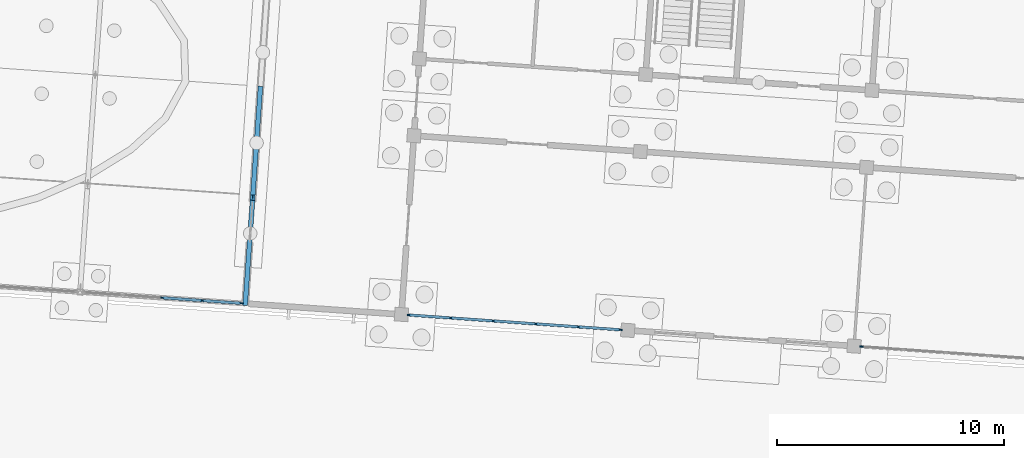
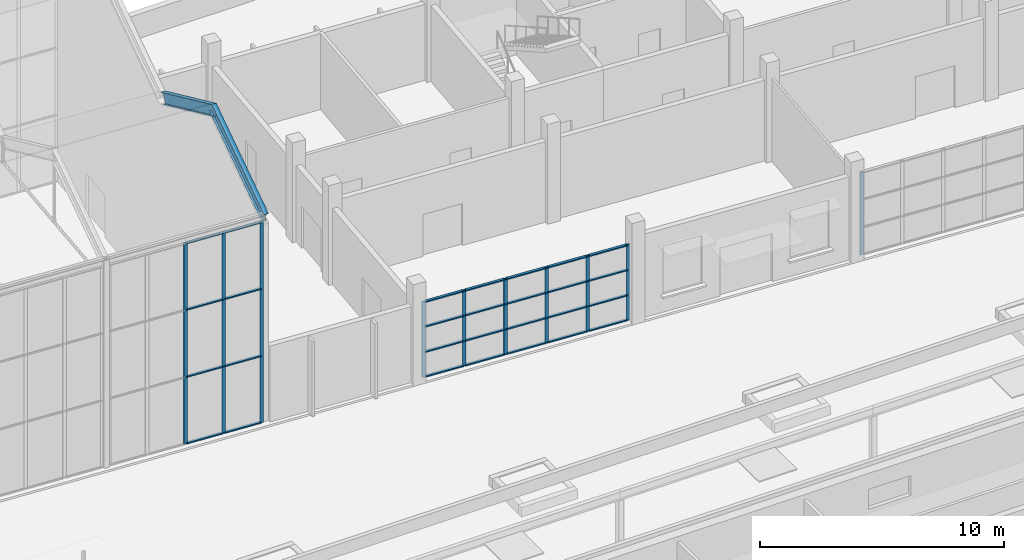
# One storey, part 49 of 157: 40 members, 3 elements without a shape of their own.
"""IFC4 building model written with IfcOpenShell, lengths in metres."""

from ifc_helpers import new_model, si_unit, direction, frame, origin, origin_2d, place, context, subcontext, project, spatial, rectangle, i_section, extrude, material, material_profile, profile_set, type_object, element, aggregate, save


model = new_model("IFC4")

# Units and contexts
model_context = context("Model", 3, precision=1e-05, world=origin(), true_north=direction((0.0, 1.0)))
body_context = subcontext(model_context, "Body", "Model", "MODEL_VIEW")
ifc_project = project(units=[si_unit("LENGTHUNIT", "METRE"), si_unit("AREAUNIT", "SQUARE_METRE"), si_unit("VOLUMEUNIT", "CUBIC_METRE"), si_unit("PLANEANGLEUNIT", "RADIAN"), si_unit("MASSUNIT", "GRAM", prefix="KILO")], contexts=[model_context])

# Site, building, storey
site_placement = place(None, origin())
site = spatial("IfcSite", under=ifc_project, at=site_placement, CompositionType="ELEMENT")
building_placement = place(site_placement, origin())
building = spatial("IfcBuilding", under=site, at=building_placement, Name="Windward Yard Aquatics Centre", CompositionType="ELEMENT")
storey_placement = place(building_placement, origin())
storey = spatial("IfcBuildingStorey", under=building, at=storey_placement, Name="L00", CompositionType="ELEMENT", Elevation=0.0)

# Curtain wall, members
ifc_material_1 = material(Name="Aluminium curtain wall system", Category="aluminium")
curtain_wall_type = type_object("IfcCurtainWallType", Name="W curtain wall 1900", PredefinedType="NOTDEFINED", material=ifc_material_1)
curtain_wall_1_placement = place(storey_placement, origin())
curtain_wall_1 = element("IfcCurtainWall", 1, at=curtain_wall_1_placement, inside=storey, type_object=curtain_wall_type, Name="Wing south glazing L00 1", PredefinedType="NOTDEFINED")
ifc_material_2 = material(Name="Aluminium mullion", Category="aluminium")
ifc_material_profile_1 = material_profile(ifc_material_2, rectangle(XDim=0.06005859375, YDim=0.159912109375, at=origin_2d()), Name="AL 60x160")
ifc_profile_set_1 = profile_set([ifc_material_profile_1], Name="Aluminium mullion")
member_type_1 = type_object("IfcMemberType", Name="W CW mullion 60x160", PredefinedType="MULLION", material=ifc_profile_set_1)
member_1_placement = place(storey_placement, frame((108.1923828125, 116.842041015625, 0.0), z_axis=(0.0, 0.0, 1.0), x_axis=(0.069755340111, 0.997564129531, 0.0)))
member_1 = element("IfcMember", 2, at=member_1_placement, type_object=member_type_1, Name="WCW1 mullion 1", PredefinedType="MULLION", context=body_context, shape_type="SweptSolid", body=[
    extrude(rectangle(XDim=0.06005859375, YDim=0.159912109375, at=origin_2d()), origin(), (0.0, 0.0, 1.0), 3.805908203125),
])
member_2_placement = place(storey_placement, frame((110.037841796875, 116.713134765625, 0.0), z_axis=(0.0, 0.0, 1.0), x_axis=(0.069755340111, 0.997564129531, 0.0)))
member_2 = element("IfcMember", 3, at=member_2_placement, type_object=member_type_1, Name="WCW1 mullion 2", PredefinedType="MULLION", context=body_context, shape_type="SweptSolid", body=[
    extrude(rectangle(XDim=0.06005859375, YDim=0.159912109375, at=origin_2d()), origin(), (0.0, 0.0, 1.0), 3.805908203125),
])
member_3_placement = place(storey_placement, frame((111.913330078125, 116.58203125, 0.0), z_axis=(0.0, 0.0, 1.0), x_axis=(0.069755340111, 0.997564129531, 0.0)))
member_3 = element("IfcMember", 4, at=member_3_placement, type_object=member_type_1, Name="WCW1 mullion 3", PredefinedType="MULLION", context=body_context, shape_type="SweptSolid", body=[
    extrude(rectangle(XDim=0.06005859375, YDim=0.159912109375, at=origin_2d()), origin(), (0.0, 0.0, 1.0), 3.805908203125),
])
member_4_placement = place(storey_placement, frame((113.788818359375, 116.45068359375, 0.0), z_axis=(0.0, 0.0, 1.0), x_axis=(0.069755340111, 0.997564129531, 0.0)))
member_4 = element("IfcMember", 5, at=member_4_placement, type_object=member_type_1, Name="WCW1 mullion 4", PredefinedType="MULLION", context=body_context, shape_type="SweptSolid", body=[
    extrude(rectangle(XDim=0.06005859375, YDim=0.159912109375, at=origin_2d()), origin(), (0.0, 0.0, 1.0), 3.805908203125),
])
member_5_placement = place(storey_placement, frame((115.6640625, 116.319580078125, 0.0), z_axis=(0.0, 0.0, 1.0), x_axis=(0.069755340111, 0.997564129531, 0.0)))
member_5 = element("IfcMember", 6, at=member_5_placement, type_object=member_type_1, Name="WCW1 mullion 5", PredefinedType="MULLION", context=body_context, shape_type="SweptSolid", body=[
    extrude(rectangle(XDim=0.06005859375, YDim=0.159912109375, at=origin_2d()), origin(), (0.0, 0.0, 1.0), 3.805908203125),
])
member_6_placement = place(storey_placement, frame((117.509765625, 116.190673828125, 0.0), z_axis=(0.0, 0.0, 1.0), x_axis=(0.069755340111, 0.997564129531, 0.0)))
member_6 = element("IfcMember", 7, at=member_6_placement, type_object=member_type_1, Name="WCW1 mullion 6", PredefinedType="MULLION", context=body_context, shape_type="SweptSolid", body=[
    extrude(rectangle(XDim=0.06005859375, YDim=0.159912109375, at=origin_2d()), origin(), (0.0, 0.0, 1.0), 3.805908203125),
])

# Curtain wall, member
curtain_wall_2_placement = place(storey_placement, origin())
curtain_wall_2 = element("IfcCurtainWall", 8, at=curtain_wall_2_placement, inside=storey, type_object=curtain_wall_type, Name="Wing south glazing L00 2", PredefinedType="NOTDEFINED")
member_7_placement = place(storey_placement, frame((128.143798828125, 115.447021484375, 0.0), z_axis=(0.0, 0.0, 1.0), x_axis=(0.069755340111, 0.997564129531, 0.0)))
member_7 = element("IfcMember", 9, at=member_7_placement, type_object=member_type_1, Name="WCW1 mullion 1", PredefinedType="MULLION", context=body_context, shape_type="SweptSolid", body=[
    extrude(rectangle(XDim=0.06005859375, YDim=0.159912109375, at=origin_2d()), origin(), (0.0, 0.0, 1.0), 4.169921875),
])
aggregate(curtain_wall_2, [member_7])

# Curtain wall, members
curtain_wall_3_placement = place(storey_placement, origin())
curtain_wall_3 = element("IfcCurtainWall", 10, at=curtain_wall_3_placement, inside=storey, type_object=curtain_wall_type, Name="Wing south glazing L00 7", PredefinedType="NOTDEFINED")
member_8_placement = place(storey_placement, frame((97.327392578125, 117.601806640625, 0.0), z_axis=(0.0, 0.0, 1.0), x_axis=(0.069756438069, 0.997564052754, 0.0)))
member_8 = element("IfcMember", 11, at=member_8_placement, type_object=member_type_1, Name="WCW1 mullion 3", PredefinedType="MULLION", context=body_context, shape_type="SweptSolid", body=[
    extrude(rectangle(XDim=0.06005859375, YDim=0.159912109375, at=origin_2d()), origin(), (0.0, 0.0, 1.0), 10.097900390625),
])
member_9_placement = place(storey_placement, frame((99.078857421875, 117.4794921875, 0.0), z_axis=(0.0, 0.0, 1.0), x_axis=(0.069756438069, 0.997564052754, 0.0)))
member_9 = element("IfcMember", 12, at=member_9_placement, type_object=member_type_1, Name="WCW1 mullion 4", PredefinedType="MULLION", context=body_context, shape_type="SweptSolid", body=[
    extrude(rectangle(XDim=0.06005859375, YDim=0.159912109375, at=origin_2d()), origin(), (0.0, 0.0, 1.0), 10.097900390625),
])
member_10_placement = place(storey_placement, frame((100.800537109375, 117.35888671875, 0.0), z_axis=(0.0, 0.0, 1.0), x_axis=(0.069756438069, 0.997564052754, 0.0)))
member_10 = element("IfcMember", 13, at=member_10_placement, type_object=member_type_1, Name="WCW1 mullion 5", PredefinedType="MULLION", context=body_context, shape_type="SweptSolid", body=[
    extrude(rectangle(XDim=0.06005859375, YDim=0.159912109375, at=origin_2d()), origin(), (0.0, 0.0, 1.0), 10.097900390625),
])

# Member
ifc_material_3 = material(Name="Aluminium transom", Category="aluminium")
ifc_material_profile_2 = material_profile(ifc_material_3, rectangle(XDim=0.1201171875, YDim=0.06005859375, at=origin_2d()), Name="AL 120x60")
ifc_profile_set_2 = profile_set([ifc_material_profile_2], Name="Aluminium transom")
member_type_2 = type_object("IfcMemberType", Name="W CW transom 120x60", PredefinedType="USERDEFINED", material=ifc_profile_set_2)
member_11_placement = place(storey_placement, frame((108.222412109375, 116.840087890625, 0.030029296875), z_axis=(0.997558777123, -0.069831842205, 0.0), x_axis=(0.069831842205, 0.997558777123, 0.0)))
member_11 = element("IfcMember", 14, at=member_11_placement, type_object=member_type_2, Name="WCW1 transom 1.1", ObjectType="TRANSOM", PredefinedType="USERDEFINED", context=body_context, shape_type="SweptSolid", body=[
    extrude(rectangle(XDim=0.1201171875, YDim=0.06005859375, at=origin_2d()), origin(), (0.0, 0.0, 1.0), 1.7900390625),
])

member_12_placement = place(storey_placement, frame((108.222412109375, 116.840087890625, 1.268798828125), z_axis=(0.997558777123, -0.069831842205, 0.0), x_axis=(0.069831842205, 0.997558777123, 0.0)))
member_12 = element("IfcMember", 15, at=member_12_placement, type_object=member_type_2, Name="WCW1 transom 1.2", ObjectType="TRANSOM", PredefinedType="USERDEFINED", context=body_context, shape_type="SweptSolid", body=[
    extrude(rectangle(XDim=0.1201171875, YDim=0.06005859375, at=origin_2d()), origin(), (0.0, 0.0, 1.0), 1.7900390625),
])

member_13_placement = place(storey_placement, frame((108.222412109375, 116.840087890625, 2.537353515625), z_axis=(0.997558777123, -0.069831842205, 0.0), x_axis=(0.069831842205, 0.997558777123, 0.0)))
member_13 = element("IfcMember", 16, at=member_13_placement, type_object=member_type_2, Name="WCW1 transom 1.3", ObjectType="TRANSOM", PredefinedType="USERDEFINED", context=body_context, shape_type="SweptSolid", body=[
    extrude(rectangle(XDim=0.1201171875, YDim=0.06005859375, at=origin_2d()), origin(), (0.0, 0.0, 1.0), 1.7900390625),
])

member_14_placement = place(storey_placement, frame((108.222412109375, 116.840087890625, 3.77587890625), z_axis=(0.997558777123, -0.069831842205, 0.0), x_axis=(0.069831842205, 0.997558777123, 0.0)))
member_14 = element("IfcMember", 17, at=member_14_placement, type_object=member_type_2, Name="WCW1 transom 1.4", ObjectType="TRANSOM", PredefinedType="USERDEFINED", context=body_context, shape_type="SweptSolid", body=[
    extrude(rectangle(XDim=0.1201171875, YDim=0.06005859375, at=origin_2d()), origin(), (0.0, 0.0, 1.0), 1.7900390625),
])

member_15_placement = place(storey_placement, frame((110.06787109375, 116.7109375, 0.030029296875), z_axis=(0.997563824095, -0.069759707979, 0.0), x_axis=(0.069759707979, 0.997563824095, 0.0)))
member_15 = element("IfcMember", 18, at=member_15_placement, type_object=member_type_2, Name="WCW1 transom 2.1", ObjectType="TRANSOM", PredefinedType="USERDEFINED", context=body_context, shape_type="SweptSolid", body=[
    extrude(rectangle(XDim=0.1201171875, YDim=0.06005859375, at=origin_2d()), origin(), (0.0, 0.0, 1.0), 1.81982421875),
])

member_16_placement = place(storey_placement, frame((110.06787109375, 116.7109375, 1.268798828125), z_axis=(0.997563824095, -0.069759707979, 0.0), x_axis=(0.069759707979, 0.997563824095, 0.0)))
member_16 = element("IfcMember", 19, at=member_16_placement, type_object=member_type_2, Name="WCW1 transom 2.2", ObjectType="TRANSOM", PredefinedType="USERDEFINED", context=body_context, shape_type="SweptSolid", body=[
    extrude(rectangle(XDim=0.1201171875, YDim=0.06005859375, at=origin_2d()), origin(), (0.0, 0.0, 1.0), 1.81982421875),
])

member_17_placement = place(storey_placement, frame((110.06787109375, 116.7109375, 2.537353515625), z_axis=(0.997563824095, -0.069759707979, 0.0), x_axis=(0.069759707979, 0.997563824095, 0.0)))
member_17 = element("IfcMember", 20, at=member_17_placement, type_object=member_type_2, Name="WCW1 transom 2.3", ObjectType="TRANSOM", PredefinedType="USERDEFINED", context=body_context, shape_type="SweptSolid", body=[
    extrude(rectangle(XDim=0.1201171875, YDim=0.06005859375, at=origin_2d()), origin(), (0.0, 0.0, 1.0), 1.81982421875),
])

member_18_placement = place(storey_placement, frame((110.06787109375, 116.7109375, 3.77587890625), z_axis=(0.997563824095, -0.069759707979, 0.0), x_axis=(0.069759707979, 0.997563824095, 0.0)))
member_18 = element("IfcMember", 21, at=member_18_placement, type_object=member_type_2, Name="WCW1 transom 2.4", ObjectType="TRANSOM", PredefinedType="USERDEFINED", context=body_context, shape_type="SweptSolid", body=[
    extrude(rectangle(XDim=0.1201171875, YDim=0.06005859375, at=origin_2d()), origin(), (0.0, 0.0, 1.0), 1.81982421875),
])

member_19_placement = place(storey_placement, frame((111.943359375, 116.579833984375, 0.030029296875), z_axis=(0.997563824095, -0.069759707979, 0.0), x_axis=(0.069759707979, 0.997563824095, 0.0)))
member_19 = element("IfcMember", 22, at=member_19_placement, type_object=member_type_2, Name="WCW1 transom 3.1", ObjectType="TRANSOM", PredefinedType="USERDEFINED", context=body_context, shape_type="SweptSolid", body=[
    extrude(rectangle(XDim=0.1201171875, YDim=0.06005859375, at=origin_2d()), origin(), (0.0, 0.0, 1.0), 1.81982421875),
])

member_20_placement = place(storey_placement, frame((111.943359375, 116.579833984375, 1.268798828125), z_axis=(0.997563824095, -0.069759707979, 0.0), x_axis=(0.069759707979, 0.997563824095, 0.0)))
member_20 = element("IfcMember", 23, at=member_20_placement, type_object=member_type_2, Name="WCW1 transom 3.2", ObjectType="TRANSOM", PredefinedType="USERDEFINED", context=body_context, shape_type="SweptSolid", body=[
    extrude(rectangle(XDim=0.1201171875, YDim=0.06005859375, at=origin_2d()), origin(), (0.0, 0.0, 1.0), 1.81982421875),
])

member_21_placement = place(storey_placement, frame((111.943359375, 116.579833984375, 2.537353515625), z_axis=(0.997563824095, -0.069759707979, 0.0), x_axis=(0.069759707979, 0.997563824095, 0.0)))
member_21 = element("IfcMember", 24, at=member_21_placement, type_object=member_type_2, Name="WCW1 transom 3.3", ObjectType="TRANSOM", PredefinedType="USERDEFINED", context=body_context, shape_type="SweptSolid", body=[
    extrude(rectangle(XDim=0.1201171875, YDim=0.06005859375, at=origin_2d()), origin(), (0.0, 0.0, 1.0), 1.81982421875),
])

member_22_placement = place(storey_placement, frame((111.943359375, 116.579833984375, 3.77587890625), z_axis=(0.997563824095, -0.069759707979, 0.0), x_axis=(0.069759707979, 0.997563824095, 0.0)))
member_22 = element("IfcMember", 25, at=member_22_placement, type_object=member_type_2, Name="WCW1 transom 3.4", ObjectType="TRANSOM", PredefinedType="USERDEFINED", context=body_context, shape_type="SweptSolid", body=[
    extrude(rectangle(XDim=0.1201171875, YDim=0.06005859375, at=origin_2d()), origin(), (0.0, 0.0, 1.0), 1.81982421875),
])

member_23_placement = place(storey_placement, frame((113.818603515625, 116.44873046875, 0.030029296875), z_axis=(0.99756447681, -0.06975037353, 0.0), x_axis=(0.06975037353, 0.99756447681, 0.0)))
member_23 = element("IfcMember", 26, at=member_23_placement, type_object=member_type_2, Name="WCW1 transom 4.1", ObjectType="TRANSOM", PredefinedType="USERDEFINED", context=body_context, shape_type="SweptSolid", body=[
    extrude(rectangle(XDim=0.1201171875, YDim=0.06005859375, at=origin_2d()), origin(), (0.0, 0.0, 1.0), 1.820068359375),
])

member_24_placement = place(storey_placement, frame((113.818603515625, 116.44873046875, 1.268798828125), z_axis=(0.99756447681, -0.06975037353, 0.0), x_axis=(0.06975037353, 0.99756447681, 0.0)))
member_24 = element("IfcMember", 27, at=member_24_placement, type_object=member_type_2, Name="WCW1 transom 4.2", ObjectType="TRANSOM", PredefinedType="USERDEFINED", context=body_context, shape_type="SweptSolid", body=[
    extrude(rectangle(XDim=0.1201171875, YDim=0.06005859375, at=origin_2d()), origin(), (0.0, 0.0, 1.0), 1.820068359375),
])

member_25_placement = place(storey_placement, frame((113.818603515625, 116.44873046875, 2.537353515625), z_axis=(0.99756447681, -0.06975037353, 0.0), x_axis=(0.06975037353, 0.99756447681, 0.0)))
member_25 = element("IfcMember", 28, at=member_25_placement, type_object=member_type_2, Name="WCW1 transom 4.3", ObjectType="TRANSOM", PredefinedType="USERDEFINED", context=body_context, shape_type="SweptSolid", body=[
    extrude(rectangle(XDim=0.1201171875, YDim=0.06005859375, at=origin_2d()), origin(), (0.0, 0.0, 1.0), 1.820068359375),
])

member_26_placement = place(storey_placement, frame((113.818603515625, 116.44873046875, 3.77587890625), z_axis=(0.99756447681, -0.06975037353, 0.0), x_axis=(0.06975037353, 0.99756447681, 0.0)))
member_26 = element("IfcMember", 29, at=member_26_placement, type_object=member_type_2, Name="WCW1 transom 4.4", ObjectType="TRANSOM", PredefinedType="USERDEFINED", context=body_context, shape_type="SweptSolid", body=[
    extrude(rectangle(XDim=0.1201171875, YDim=0.06005859375, at=origin_2d()), origin(), (0.0, 0.0, 1.0), 1.820068359375),
])

member_27_placement = place(storey_placement, frame((115.694091796875, 116.317626953125, 0.030029296875), z_axis=(0.997558777123, -0.069831842205, 0.0), x_axis=(0.069831842205, 0.997558777123, 0.0)))
member_27 = element("IfcMember", 30, at=member_27_placement, type_object=member_type_2, Name="WCW1 transom 5.1", ObjectType="TRANSOM", PredefinedType="USERDEFINED", context=body_context, shape_type="SweptSolid", body=[
    extrude(rectangle(XDim=0.1201171875, YDim=0.06005859375, at=origin_2d()), origin(), (0.0, 0.0, 1.0), 1.7900390625),
])

member_28_placement = place(storey_placement, frame((115.694091796875, 116.317626953125, 1.268798828125), z_axis=(0.997558777123, -0.069831842205, 0.0), x_axis=(0.069831842205, 0.997558777123, 0.0)))
member_28 = element("IfcMember", 31, at=member_28_placement, type_object=member_type_2, Name="WCW1 transom 5.2", ObjectType="TRANSOM", PredefinedType="USERDEFINED", context=body_context, shape_type="SweptSolid", body=[
    extrude(rectangle(XDim=0.1201171875, YDim=0.06005859375, at=origin_2d()), origin(), (0.0, 0.0, 1.0), 1.7900390625),
])

member_29_placement = place(storey_placement, frame((115.694091796875, 116.317626953125, 2.537353515625), z_axis=(0.997558777123, -0.069831842205, 0.0), x_axis=(0.069831842205, 0.997558777123, 0.0)))
member_29 = element("IfcMember", 32, at=member_29_placement, type_object=member_type_2, Name="WCW1 transom 5.3", ObjectType="TRANSOM", PredefinedType="USERDEFINED", context=body_context, shape_type="SweptSolid", body=[
    extrude(rectangle(XDim=0.1201171875, YDim=0.06005859375, at=origin_2d()), origin(), (0.0, 0.0, 1.0), 1.7900390625),
])

member_30_placement = place(storey_placement, frame((115.694091796875, 116.317626953125, 3.77587890625), z_axis=(0.997558777123, -0.069831842205, 0.0), x_axis=(0.069831842205, 0.997558777123, 0.0)))
member_30 = element("IfcMember", 33, at=member_30_placement, type_object=member_type_2, Name="WCW1 transom 5.4", ObjectType="TRANSOM", PredefinedType="USERDEFINED", context=body_context, shape_type="SweptSolid", body=[
    extrude(rectangle(XDim=0.1201171875, YDim=0.06005859375, at=origin_2d()), origin(), (0.0, 0.0, 1.0), 1.7900390625),
])

aggregate(curtain_wall_1, [member_1, member_2, member_3, member_4, member_5, member_6, member_11, member_12, member_13, member_14, member_15, member_16, member_17, member_18, member_19, member_20, member_21, member_22, member_23, member_24, member_25, member_26, member_27, member_28, member_29, member_30])

member_31_placement = place(storey_placement, frame((97.357421875, 117.599853515625, 0.030029296875), z_axis=(0.997559267992, -0.069824829698, 0.0), x_axis=(0.069824829698, 0.997559267992, 0.0)))
member_31 = element("IfcMember", 34, at=member_31_placement, type_object=member_type_2, Name="WCW1 transom 3.1", ObjectType="TRANSOM", PredefinedType="USERDEFINED", context=body_context, shape_type="SweptSolid", body=[
    extrude(rectangle(XDim=0.1201171875, YDim=0.06005859375, at=origin_2d()), origin(), (0.0, 0.0, 1.0), 1.69580078125),
])

member_32_placement = place(storey_placement, frame((97.357421875, 117.599853515625, 3.365966796875), z_axis=(0.997559267992, -0.069824829698, 0.0), x_axis=(0.069824829698, 0.997559267992, 0.0)))
member_32 = element("IfcMember", 35, at=member_32_placement, type_object=member_type_2, Name="WCW1 transom 3.2", ObjectType="TRANSOM", PredefinedType="USERDEFINED", context=body_context, shape_type="SweptSolid", body=[
    extrude(rectangle(XDim=0.1201171875, YDim=0.06005859375, at=origin_2d()), origin(), (0.0, 0.0, 1.0), 1.69580078125),
])

member_33_placement = place(storey_placement, frame((97.357421875, 117.599853515625, 6.73193359375), z_axis=(0.997559267992, -0.069824829698, 0.0), x_axis=(0.069824829698, 0.997559267992, 0.0)))
member_33 = element("IfcMember", 36, at=member_33_placement, type_object=member_type_2, Name="WCW1 transom 3.3", ObjectType="TRANSOM", PredefinedType="USERDEFINED", context=body_context, shape_type="SweptSolid", body=[
    extrude(rectangle(XDim=0.1201171875, YDim=0.06005859375, at=origin_2d()), origin(), (0.0, 0.0, 1.0), 1.69580078125),
])

member_34_placement = place(storey_placement, frame((97.357421875, 117.599853515625, 10.068115234375), z_axis=(0.997559267992, -0.069824829698, 0.0), x_axis=(0.069824829698, 0.997559267992, 0.0)))
member_34 = element("IfcMember", 37, at=member_34_placement, type_object=member_type_2, Name="WCW1 transom 3.4", ObjectType="TRANSOM", PredefinedType="USERDEFINED", context=body_context, shape_type="SweptSolid", body=[
    extrude(rectangle(XDim=0.1201171875, YDim=0.06005859375, at=origin_2d()), origin(), (0.0, 0.0, 1.0), 1.69580078125),
])

member_35_placement = place(storey_placement, frame((99.10888671875, 117.477294921875, 0.030029296875), z_axis=(0.99756325344, -0.069767867857, 0.0), x_axis=(0.069767867857, 0.99756325344, 0.0)))
member_35 = element("IfcMember", 38, at=member_35_placement, type_object=member_type_2, Name="WCW1 transom 4.1", ObjectType="TRANSOM", PredefinedType="USERDEFINED", context=body_context, shape_type="SweptSolid", body=[
    extrude(rectangle(XDim=0.1201171875, YDim=0.06005859375, at=origin_2d()), origin(), (0.0, 0.0, 1.0), 1.665771484375),
])

member_36_placement = place(storey_placement, frame((99.10888671875, 117.477294921875, 3.365966796875), z_axis=(0.99756325344, -0.069767867857, 0.0), x_axis=(0.069767867857, 0.99756325344, 0.0)))
member_36 = element("IfcMember", 39, at=member_36_placement, type_object=member_type_2, Name="WCW1 transom 4.2", ObjectType="TRANSOM", PredefinedType="USERDEFINED", context=body_context, shape_type="SweptSolid", body=[
    extrude(rectangle(XDim=0.1201171875, YDim=0.06005859375, at=origin_2d()), origin(), (0.0, 0.0, 1.0), 1.665771484375),
])

member_37_placement = place(storey_placement, frame((99.10888671875, 117.477294921875, 6.73193359375), z_axis=(0.99756325344, -0.069767867857, 0.0), x_axis=(0.069767867857, 0.99756325344, 0.0)))
member_37 = element("IfcMember", 40, at=member_37_placement, type_object=member_type_2, Name="WCW1 transom 4.3", ObjectType="TRANSOM", PredefinedType="USERDEFINED", context=body_context, shape_type="SweptSolid", body=[
    extrude(rectangle(XDim=0.1201171875, YDim=0.06005859375, at=origin_2d()), origin(), (0.0, 0.0, 1.0), 1.665771484375),
])

member_38_placement = place(storey_placement, frame((99.10888671875, 117.477294921875, 10.068115234375), z_axis=(0.99756325344, -0.069767867857, 0.0), x_axis=(0.069767867857, 0.99756325344, 0.0)))
member_38 = element("IfcMember", 41, at=member_38_placement, type_object=member_type_2, Name="WCW1 transom 4.4", ObjectType="TRANSOM", PredefinedType="USERDEFINED", context=body_context, shape_type="SweptSolid", body=[
    extrude(rectangle(XDim=0.1201171875, YDim=0.06005859375, at=origin_2d()), origin(), (0.0, 0.0, 1.0), 1.665771484375),
])

aggregate(curtain_wall_3, [member_8, member_9, member_10, member_31, member_32, member_33, member_34, member_35, member_36, member_37, member_38])

# Members
ifc_material_4 = material(Name="Steel S355", Category="steel")
ifc_material_profile_3 = material_profile(ifc_material_4, i_section(OverallWidth=0.208984375, OverallDepth=0.532958984375, WebThickness=0.01025390625, FlangeThickness=0.015625, at=origin_2d()), Name="W530x92")
ifc_profile_set_3 = profile_set([ifc_material_profile_3], Name="Steel S355")
member_type_3 = type_object("IfcMemberType", Name="W W530x92 rafter", PredefinedType="RAFTER", material=ifc_profile_set_3)
member_39_placement = place(storey_placement, frame((100.982177734375, 117.376220703125, 10.216796875), z_axis=(0.062391425024, 0.892237572744, 0.447235311516), x_axis=(-0.997564042786, 0.069756580627, 0.0)))
element("IfcMember", 42, at=member_39_placement, inside=storey, type_object=member_type_3, Name="W.RAF.5.1", PredefinedType="RAFTER", context=body_context, shape_type="SweptSolid", body=[
    extrude(i_section(OverallWidth=0.208984375, OverallDepth=0.532958984375, WebThickness=0.01025390625, FlangeThickness=0.015625, at=origin_2d()), origin(), (0.0, 0.0, 1.0), 5.466552734375),
])
member_40_placement = place(storey_placement, frame((101.306396484375, 122.015869140625, 12.66162109375), z_axis=(0.062416464274, 0.892255184986, -0.447196679162), x_axis=(-0.997562190208, 0.069783068626, 0.0)))
element("IfcMember", 43, at=member_40_placement, inside=storey, type_object=member_type_3, Name="W.RAF.5.2", PredefinedType="RAFTER", context=body_context, shape_type="SweptSolid", body=[
    extrude(i_section(OverallWidth=0.208984375, OverallDepth=0.532958984375, WebThickness=0.01025390625, FlangeThickness=0.015625, at=origin_2d()), origin(), (0.0, 0.0, 1.0), 5.366455078125),
])

save(model, "model.ifc")
